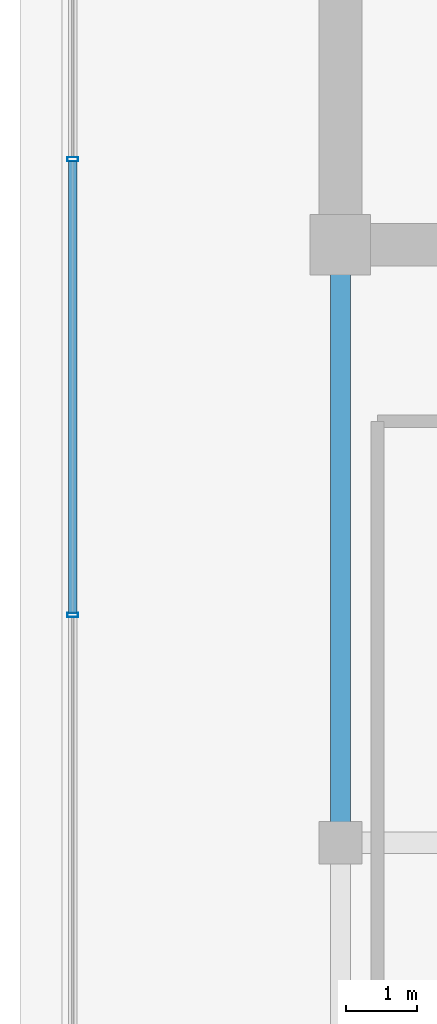
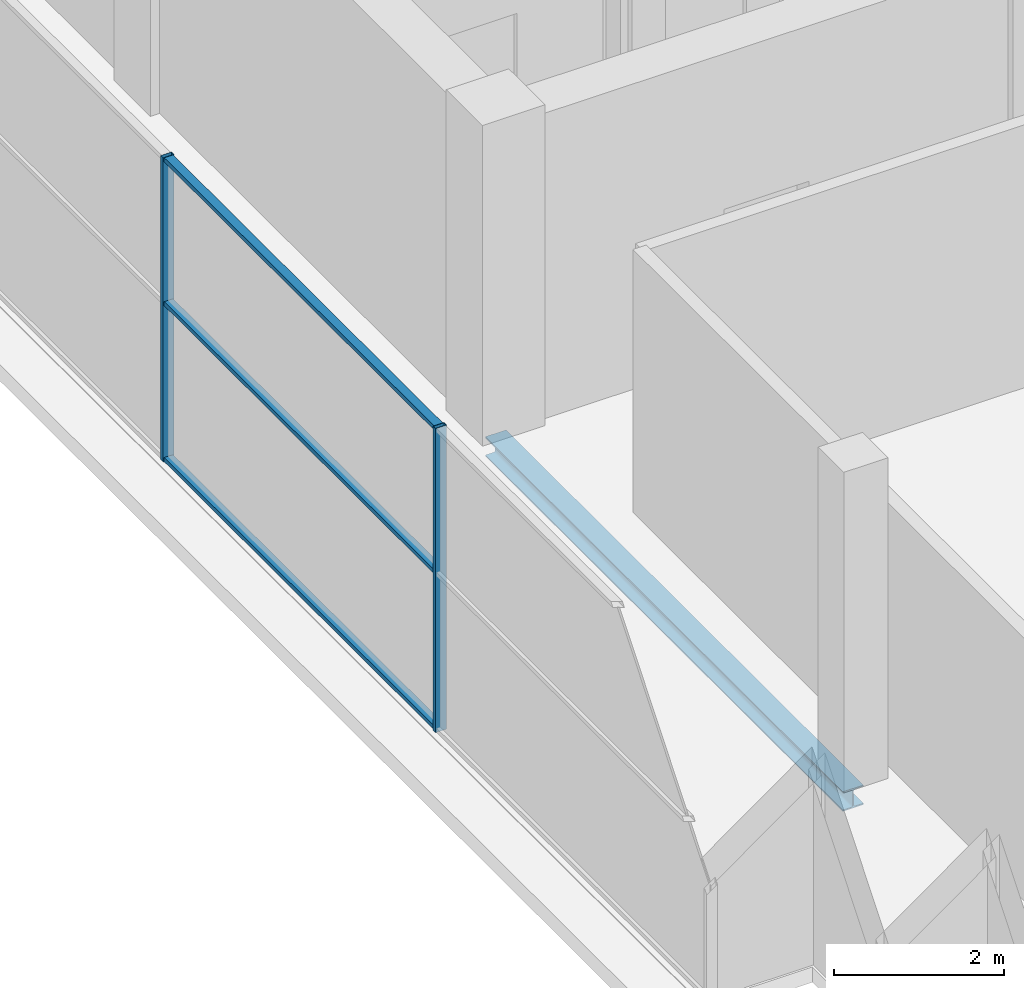
# One storey, part 6 of 28: 5 members, 1 beam, 1 element without a shape of its own.
"""IFC4 building model written with IfcOpenShell, lengths in metres."""

import ifcopenshell
import ifcopenshell.guid

model = None  # the IFC model being written
_history = None  # IfcOwnerHistory: only IFC2X3 demands one
_inside = {}  # id of a spatial element -> (the spatial element, [elements in it])
_under = {}  # id of a project, library or spatial element -> (it, [spatial elements below it])
_declared = {}  # id of a project -> (the project, [libraries it declares])
_typed = {}  # id of a type object -> (the type object, [elements of that type])
_made_of = {}  # id of a material, layer set ... -> (it, [elements and type objects made of it])


def new_model(schema):
    """Start an empty IFC model of exactly this schema.

    Asked for "IFC4X3", IfcOpenShell would pick the latest addendum, in which some entities
    have other attributes; the version numbers below select the first issue.
    IFC2X3 requires an IfcOwnerHistory on every rooted entity: one is made here for all.
    """
    global model, _history
    if schema == "IFC4X3":
        model = ifcopenshell.file(schema_version=(4, 3, 0, 0))
    else:
        model = ifcopenshell.file(schema=schema)
    _inside.clear()
    _under.clear()
    _declared.clear()
    _typed.clear()
    _made_of.clear()
    _history = None
    if model.schema == "IFC2X3":
        org = make("IfcOrganization", Name="unknown")
        user = make(
            "IfcPersonAndOrganization",
            ThePerson=make("IfcPerson", FamilyName="unknown"),
            TheOrganization=org,
        )
        app = make(
            "IfcApplication",
            ApplicationDeveloper=org,
            Version="unknown",
            ApplicationFullName="unknown",
            ApplicationIdentifier="unknown",
        )
        _history = make(
            "IfcOwnerHistory",
            OwningUser=user,
            OwningApplication=app,
            ChangeAction="ADDED",
            CreationDate=0,
        )
    return model


def make(cls, **values):
    """One entity of the class cls with the attributes given. An attribute that is None is left unset."""
    return model.create_entity(
        cls, **{name: value for name, value in values.items() if value is not None}
    )


def rooted(cls, **values):
    """An entity with a GlobalId (a new one), such as an element, a storey or a relation."""
    return make(cls, GlobalId=ifcopenshell.guid.new(), OwnerHistory=_history, **values)


def si_unit(unit_type, name, prefix=None):
    """IfcSIUnit, for example si_unit("LENGTHUNIT", "METRE", prefix="MILLI")."""
    return make("IfcSIUnit", UnitType=unit_type, Prefix=prefix, Name=name)


def assignment(units):
    """IfcUnitAssignment: the units of a project."""
    return None if units is None else make("IfcUnitAssignment", Units=units)


def point(xyz):
    """IfcCartesianPoint."""
    return None if xyz is None else make("IfcCartesianPoint", Coordinates=xyz)


def direction(xyz):
    """IfcDirection."""
    return None if xyz is None else make("IfcDirection", DirectionRatios=xyz)


def frame(location, z_axis=None, x_axis=None):
    """IfcAxis2Placement3D, a coordinate frame: its origin and axes. An axis left out is left unset."""
    return make(
        "IfcAxis2Placement3D",
        Location=point(location),
        Axis=direction(z_axis),
        RefDirection=direction(x_axis),
    )


def frame_2d(location, x_axis=None):
    """IfcAxis2Placement2D, a coordinate frame in the plane: its origin and x axis."""
    return make(
        "IfcAxis2Placement2D", Location=point(location), RefDirection=direction(x_axis)
    )


def origin():
    """The frame at (0, 0, 0) with its axes left unset."""
    return frame((0.0, 0.0, 0.0))


def origin_2d():
    """The frame at (0, 0) in the plane with its x axis left unset."""
    return frame_2d((0.0, 0.0))


def place(relative_to, where):
    """IfcLocalPlacement: puts the frame where relative to a parent placement (None: the world)."""
    return make(
        "IfcLocalPlacement", PlacementRelTo=relative_to, RelativePlacement=where
    )


def context(
    kind, dimensions, precision=None, world=None, true_north=None, identifier=None
):
    """IfcGeometricRepresentationContext, for example the 3D "Model" context."""
    return make(
        "IfcGeometricRepresentationContext",
        ContextIdentifier=identifier,
        ContextType=kind,
        CoordinateSpaceDimension=dimensions,
        Precision=precision,
        WorldCoordinateSystem=world,
        TrueNorth=true_north,
    )


def subcontext(parent, identifier, kind, view, scale=None):
    """IfcGeometricRepresentationSubContext, for example "Body" below "Model"."""
    return make(
        "IfcGeometricRepresentationSubContext",
        ContextIdentifier=identifier,
        ContextType=kind,
        ParentContext=parent,
        TargetScale=scale,
        TargetView=view,
    )


def project(units=None, contexts=None):
    """IfcProject with its units and contexts."""
    return rooted(
        "IfcProject",
        Name="project",
        RepresentationContexts=contexts,
        UnitsInContext=assignment(units),
    )


def spatial(cls, under=None, at=None, **own):
    """A site, building, storey or space (cls), placed at a placement, below another one or the project."""
    s = rooted(cls, ObjectPlacement=at, **own)
    if under is not None:
        _under.setdefault(under.id(), (under, []))[1].append(s)
    return s


def profile(cls, at=None, kind="AREA", **sizes):
    """A parametric profile (cls). Its sizes go by their IFC names, for example OverallWidth=200.0."""
    return make(cls, ProfileType=kind, Position=at, **sizes)


def hollow_rectangle(**sizes):
    """IfcRectangleHollowProfileDef."""
    return profile("IfcRectangleHollowProfileDef", **sizes)


def i_section(**sizes):
    """IfcIShapeProfileDef."""
    return profile("IfcIShapeProfileDef", **sizes)


def extrude(swept, where, along, depth):
    """IfcExtrudedAreaSolid: the profile swept, set in the frame where, extruded along a direction by depth."""
    return make(
        "IfcExtrudedAreaSolid",
        SweptArea=swept,
        Position=where,
        ExtrudedDirection=direction(along),
        Depth=depth,
    )


def shape(context_of_items, identifier, shape_type, items):
    """IfcShapeRepresentation: the items that make up one representation, for example the "Body"."""
    return make(
        "IfcShapeRepresentation",
        ContextOfItems=context_of_items,
        RepresentationIdentifier=identifier,
        RepresentationType=shape_type,
        Items=items,
    )


def source(mapping_origin, context_of_items, identifier, shape_type, items):
    """IfcRepresentationMap: a shape defined once, which mapped items show again and again."""
    return make(
        "IfcRepresentationMap",
        MappingOrigin=mapping_origin,
        MappedRepresentation=shape(context_of_items, identifier, shape_type, items),
    )


def transform(
    local_origin,
    x_axis=None,
    y_axis=None,
    z_axis=None,
    scale=None,
    scale2=None,
    scale3=None,
    uniform=True,
):
    """IfcCartesianTransformationOperator3D, or its non-uniform kind. x_axis, y_axis, z_axis: its Axis1, 2, 3."""
    if uniform:
        return make(
            "IfcCartesianTransformationOperator3D",
            Axis1=direction(x_axis),
            Axis2=direction(y_axis),
            LocalOrigin=point(local_origin),
            Scale=scale,
            Axis3=direction(z_axis),
        )
    return make(
        "IfcCartesianTransformationOperator3DnonUniform",
        Axis1=direction(x_axis),
        Axis2=direction(y_axis),
        LocalOrigin=point(local_origin),
        Scale=scale,
        Axis3=direction(z_axis),
        Scale2=scale2,
        Scale3=scale3,
    )


def mapped(mapping_source, mapping_target):
    """IfcMappedItem: shows the shape of a source again, moved by a transform."""
    return make(
        "IfcMappedItem", MappingSource=mapping_source, MappingTarget=mapping_target
    )


def material(Name=None, Category=None):
    """IfcMaterial."""
    return make("IfcMaterial", Name=Name, Category=Category)


def layer(
    of_material, thickness, ventilated=None, Name=None, Category=None, Priority=None
):
    """IfcMaterialLayer: one layer of a wall or slab, of a material (None: an air gap)."""
    return make(
        "IfcMaterialLayer",
        Material=of_material,
        LayerThickness=thickness,
        IsVentilated=ventilated,
        Name=Name,
        Category=Category,
        Priority=Priority,
    )


def layer_set(layers, Name=None):
    """IfcMaterialLayerSet."""
    return make("IfcMaterialLayerSet", MaterialLayers=layers, LayerSetName=Name)


def material_profile(
    of_material, cross_section, Name=None, Category=None, Priority=None
):
    """IfcMaterialProfile: a cross section and its material."""
    return make(
        "IfcMaterialProfile",
        Name=Name,
        Material=of_material,
        Profile=cross_section,
        Priority=Priority,
        Category=Category,
    )


def profile_set(profiles, Name=None, composite=None):
    """IfcMaterialProfileSet."""
    return make(
        "IfcMaterialProfileSet",
        Name=Name,
        MaterialProfiles=profiles,
        CompositeProfile=composite,
    )


def made_of(thing, what):
    """Note that an element or type object is made of a material, layer set ...; save() writes the relation."""
    if what is not None:
        _made_of.setdefault(what.id(), (what, []))[1].append(thing)
    return thing


def type_object(cls, material=None, **own):
    """A type object (cls), such as IfcWallType, which elements share."""
    return made_of(rooted(cls, **own), material)


def element(
    cls,
    number,
    at=None,
    inside=None,
    cuts=None,
    type_object=None,
    material=None,
    context=None,
    identifier="Body",
    shape_type=None,
    held_by="IfcProductDefinitionShape",
    body=None,
    shapes=None,
    **own,
):
    """One element of the class cls, such as IfcWall. Its Tag is "e" and its number.

    at: its placement. inside: the storey or other place that contains it. cuts: it is an
    opening in that element (IfcRelVoidsElement). A single representation is given by context,
    identifier, shape_type and body (its items); several are given by shapes. held_by: the class
    of the entity that holds the representations. save() writes the other relations.
    """
    e = rooted(cls, Tag="e%d" % number, ObjectPlacement=at, **own)
    if body is not None:
        shapes = [shape(context, identifier, shape_type, body)]
    if shapes is not None:
        e.Representation = make(held_by, Representations=shapes)
    if inside is not None:
        _inside.setdefault(inside.id(), (inside, []))[1].append(e)
    if cuts is not None:
        rooted(
            "IfcRelVoidsElement", RelatingBuildingElement=cuts, RelatedOpeningElement=e
        )
    if type_object is not None:
        _typed.setdefault(type_object.id(), (type_object, []))[1].append(e)
    return made_of(e, material)


def aggregate(whole, parts):
    """IfcRelAggregates: a whole, such as a stair, and the parts it consists of."""
    return rooted("IfcRelAggregates", RelatingObject=whole, RelatedObjects=parts)


def save(model, path):
    """Write the relations noted so far, then the file.

    IfcRelAggregates (storeys below a building ...), IfcRelContainedInSpatialStructure (elements
    in a storey), IfcRelDefinesByType, IfcRelAssociatesMaterial and IfcRelDeclares: one each for
    every whole, place, type object, material and project.
    """
    for whole, parts in _under.values():
        aggregate(whole, parts)
    for where, things in _inside.values():
        rooted(
            "IfcRelContainedInSpatialStructure",
            RelatedElements=things,
            RelatingStructure=where,
        )
    for kind, things in _typed.values():
        rooted("IfcRelDefinesByType", RelatedObjects=things, RelatingType=kind)
    for what, things in _made_of.values():
        rooted("IfcRelAssociatesMaterial", RelatedObjects=things, RelatingMaterial=what)
    for by, libraries in _declared.values():
        rooted("IfcRelDeclares", RelatingContext=by, RelatedDefinitions=libraries)
    model.write(path)


model = new_model("IFC4")

# Units and contexts
model_context = context("Model", 3, precision=1e-05, world=origin(), true_north=direction((0.0, 1.0)))
body_context = subcontext(model_context, "Body", "Model", "MODEL_VIEW")
ifc_project = project(units=[si_unit("LENGTHUNIT", "METRE"), si_unit("AREAUNIT", "SQUARE_METRE"), si_unit("VOLUMEUNIT", "CUBIC_METRE"), si_unit("PLANEANGLEUNIT", "RADIAN"), si_unit("MASSUNIT", "GRAM", prefix="KILO")], contexts=[model_context])

# Site, building, storey
site_placement = place(None, origin())
site = spatial("IfcSite", under=ifc_project, at=site_placement, CompositionType="ELEMENT")
building_placement = place(site_placement, origin())
building = spatial("IfcBuilding", under=site, at=building_placement, Name="Zarnakvel Exchange Tower", CompositionType="ELEMENT")
storey_placement = place(building_placement, frame((0.0, 0.0, 290.0)))
storey = spatial("IfcBuildingStorey", under=building, at=storey_placement, Name="Crown L81", CompositionType="ELEMENT", Elevation=290.0)

# Beam
ifc_material_1 = material(Name="Steel S355", Category="steel")
ifc_material_profile_1 = material_profile(ifc_material_1, i_section(OverallWidth=0.280029296875, OverallDepth=0.280029296875, WebThickness=0.010498046875, FlangeThickness=0.01806640625, FilletRadius=0.02392578125, at=origin_2d()))
ifc_profile_set_1 = profile_set([ifc_material_profile_1], Name="Steel S355")
beam_type = type_object("IfcBeamType", Name="SP-04", PredefinedType="SPANDREL", material=ifc_profile_set_1)
beam_placement = place(storey_placement, frame((-14.39990234375, -9.60009765625, -0.360107421875), z_axis=(0.0, 1.0, 0.0), x_axis=(-1.0, 0.0, 0.0)))
element("IfcBeam", 1, at=beam_placement, inside=storey, type_object=beam_type, Name="Crown L81 Tower N-S Frame Beam", PredefinedType="SPANDREL", context=body_context, shape_type="SweptSolid", body=[
    extrude(i_section(OverallWidth=0.280029296875, OverallDepth=0.280029296875, WebThickness=0.010498046875, FlangeThickness=0.01806640625, FilletRadius=0.02392578125, at=origin_2d()), origin(), (0.0, 0.0, 1.0), 8.400146484375),
])

# Curtain wall, members
ifc_material_2 = material(Name="Architectural Bronze Anodised Aluminium", Category="aluminium")
ifc_layer = layer(ifc_material_2, 0.14990234375)
ifc_layer_set = layer_set([ifc_layer], Name="Architectural Bronze Anodised Aluminium")
curtain_wall_type = type_object("IfcCurtainWallType", Name="CW-07", PredefinedType="NOTDEFINED", material=ifc_layer_set)
curtain_wall_placement = place(storey_placement, origin())
curtain_wall = element("IfcCurtainWall", 2, at=curtain_wall_placement, inside=storey, type_object=curtain_wall_type, Name="Crown L81 Curtain Wall CW-Crown L81-W (CW-07)", PredefinedType="NOTDEFINED")
ifc_material_profile_2 = material_profile(ifc_material_2, hollow_rectangle(XDim=0.14990234375, YDim=0.06005859375, WallThickness=0.00390625, at=origin_2d()))
ifc_profile_set_2 = profile_set([ifc_material_profile_2], Name="Architectural Bronze Anodised Aluminium")
member_type_1 = type_object("IfcMemberType", Name="CWM-07", PredefinedType="MULLION", material=ifc_profile_set_2)
shared_shape_1 = source(origin(), body_context, "Body", "SweptSolid", [
    extrude(hollow_rectangle(XDim=0.14990234375, YDim=0.06005859375, WallThickness=0.00390625, at=origin_2d()), origin(), (0.0, 0.0, 1.0), 4.360107421875),
])
member_1_placement = place(storey_placement, frame((-18.159912109375, -6.39990234375, 0.0), z_axis=(0.0, 0.0, 1.0), x_axis=(-1.0, 0.0, 0.0)))
member_1 = element("IfcMember", 3, at=member_1_placement, type_object=member_type_1, Name="CW-07 mullion 2", PredefinedType="MULLION", context=body_context, shape_type="MappedRepresentation", body=[
    mapped(shared_shape_1, transform((0.0, 0.0, 0.0), x_axis=(1.0, 0.0, 0.0), y_axis=(0.0, 1.0, 0.0), z_axis=(0.0, 0.0, 1.0), scale=1.0)),
])
member_2_placement = place(storey_placement, frame((-18.159912109375, 0.0, 0.0), z_axis=(0.0, 0.0, 1.0), x_axis=(-1.0, 0.0, 0.0)))
member_2 = element("IfcMember", 4, at=member_2_placement, type_object=member_type_1, Name="CW-07 mullion 3", PredefinedType="MULLION", context=body_context, shape_type="MappedRepresentation", body=[
    mapped(shared_shape_1, transform((0.0, 0.0, 0.0), x_axis=(1.0, 0.0, 0.0), y_axis=(0.0, 1.0, 0.0), z_axis=(0.0, 0.0, 1.0), scale=1.0)),
])
ifc_material_profile_3 = material_profile(ifc_material_2, hollow_rectangle(XDim=0.1201171875, YDim=0.06005859375, WallThickness=0.00390625, at=origin_2d()))
ifc_profile_set_3 = profile_set([ifc_material_profile_3], Name="Architectural Bronze Anodised Aluminium")
member_type_2 = type_object("IfcMemberType", Name="CWT-07", PredefinedType="USERDEFINED", material=ifc_profile_set_3)
shared_shape_2 = source(origin(), body_context, "Body", "SweptSolid", [
    extrude(hollow_rectangle(XDim=0.1201171875, YDim=0.06005859375, WallThickness=0.00390625, at=origin_2d()), origin(), (0.0, 0.0, 1.0), 6.340087890625),
])
member_3_placement = place(storey_placement, frame((-18.159912109375, -6.3701171875, 0.030029296875), z_axis=(0.0, 1.0, 0.0), x_axis=(-1.0, 0.0, 0.0)))
member_3 = element("IfcMember", 5, at=member_3_placement, type_object=member_type_2, Name="CW-07 transom 2.1", ObjectType="TRANSOM", PredefinedType="USERDEFINED", context=body_context, shape_type="MappedRepresentation", body=[
    mapped(shared_shape_2, transform((0.0, 0.0, 0.0), x_axis=(1.0, 0.0, 0.0), y_axis=(0.0, 1.0, 0.0), z_axis=(0.0, 0.0, 1.0), scale=1.0)),
])
member_4_placement = place(storey_placement, frame((-18.159912109375, -6.3701171875, 2.26708984375), z_axis=(0.0, 1.0, 0.0), x_axis=(-1.0, 0.0, 0.0)))
member_4 = element("IfcMember", 6, at=member_4_placement, type_object=member_type_2, Name="CW-07 transom 2.2", ObjectType="TRANSOM", PredefinedType="USERDEFINED", context=body_context, shape_type="MappedRepresentation", body=[
    mapped(shared_shape_2, transform((0.0, 0.0, 0.0), x_axis=(1.0, 0.0, 0.0), y_axis=(0.0, 1.0, 0.0), z_axis=(0.0, 0.0, 1.0), scale=1.0)),
])
member_5_placement = place(storey_placement, frame((-18.159912109375, -6.3701171875, 4.330078125), z_axis=(0.0, 1.0, 0.0), x_axis=(-1.0, 0.0, 0.0)))
member_5 = element("IfcMember", 7, at=member_5_placement, type_object=member_type_2, Name="CW-07 transom 2.3", ObjectType="TRANSOM", PredefinedType="USERDEFINED", context=body_context, shape_type="MappedRepresentation", body=[
    mapped(shared_shape_2, transform((0.0, 0.0, 0.0), x_axis=(1.0, 0.0, 0.0), y_axis=(0.0, 1.0, 0.0), z_axis=(0.0, 0.0, 1.0), scale=1.0)),
])
aggregate(curtain_wall, [member_1, member_2, member_3, member_4, member_5])

save(model, "model.ifc")
